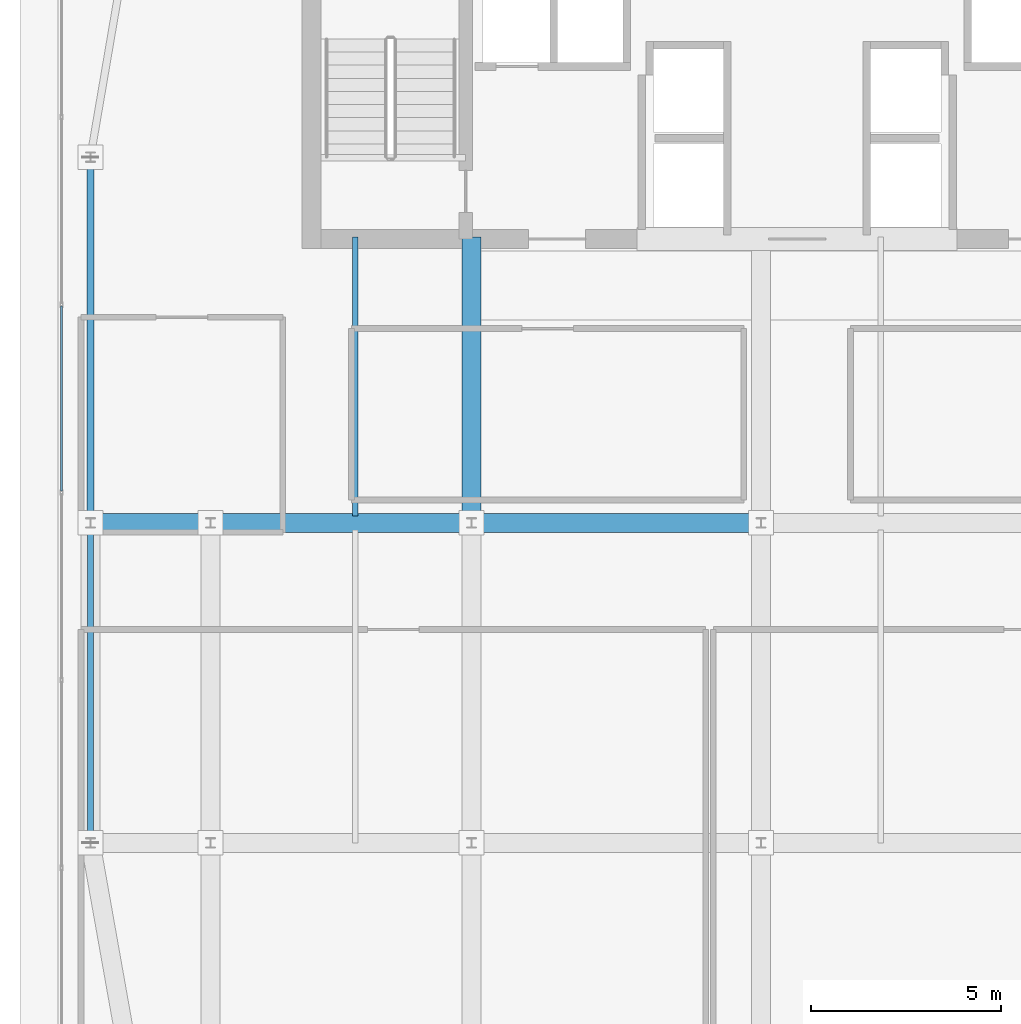
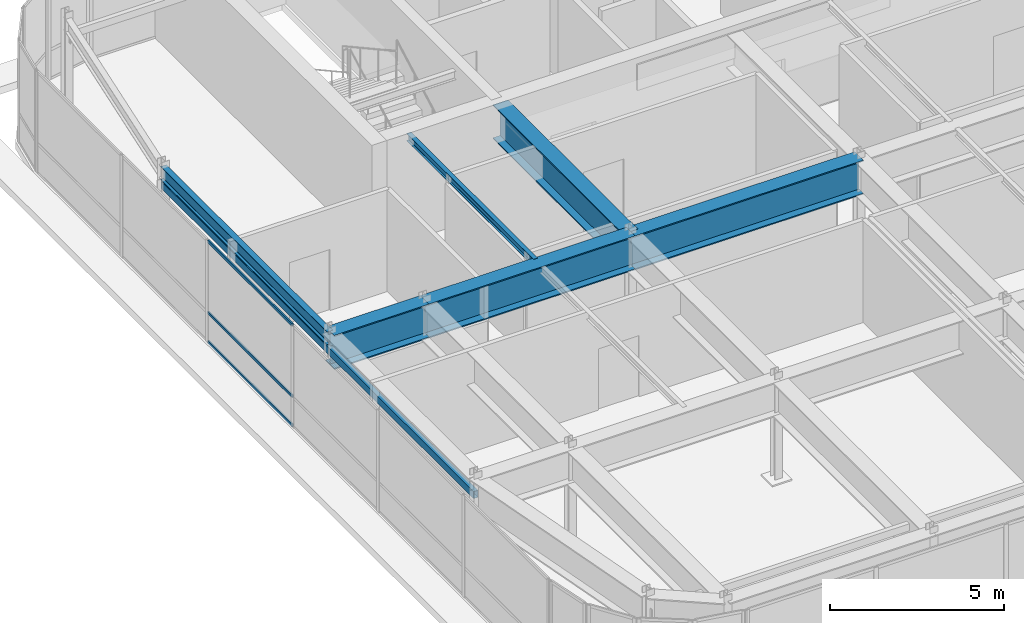
# One storey, part 16 of 35: 6 beams, 4 members, 1 element without a shape of its own.
"""IFC4 building model written with IfcOpenShell, lengths in metres."""

from ifc_helpers import new_model, si_unit, direction, frame, origin, origin_2d, place, context, subcontext, project, spatial, hollow_rectangle, i_section, extrude, source, transform, mapped, material, layer, layer_set, material_profile, profile_set, type_object, type_shapes, element, aggregate, save


model = new_model("IFC4")

# Units and contexts
model_context = context("Model", 3, precision=1e-05, world=origin(), true_north=direction((0.0, 1.0)))
body_context = subcontext(model_context, "Body", "Model", "MODEL_VIEW")
ifc_project = project(units=[si_unit("LENGTHUNIT", "METRE"), si_unit("AREAUNIT", "SQUARE_METRE"), si_unit("VOLUMEUNIT", "CUBIC_METRE"), si_unit("PLANEANGLEUNIT", "RADIAN"), si_unit("MASSUNIT", "GRAM", prefix="KILO")], contexts=[model_context])

# Site, building, storey
site_placement = place(None, origin())
site = spatial("IfcSite", under=ifc_project, at=site_placement, CompositionType="ELEMENT")
building_placement = place(site_placement, origin())
building = spatial("IfcBuilding", under=site, at=building_placement, Name="Tolvann Quenvar Hotel", CompositionType="ELEMENT")
storey_placement = place(building_placement, frame((0.0, 0.0, 290.949951171875)))
storey = spatial("IfcBuildingStorey", under=building, at=storey_placement, Name="L77", CompositionType="ELEMENT", Elevation=290.949951171875)

# Beams
ifc_material_1 = material(Name="Steel Grade 350", Category="steel")
ifc_material_profile_1 = material_profile(ifc_material_1, i_section(OverallWidth=0.5, OverallDepth=1.199951171875, WebThickness=0.01611328125, FlangeThickness=0.0400390625, at=origin_2d()), Name="1200WB455")
ifc_profile_set_1 = profile_set([ifc_material_profile_1], Name="Steel Grade 350")
beam_type_1 = type_object("IfcBeamType", Name="BM_TG_1200WB455", PredefinedType="USERDEFINED", material=ifc_profile_set_1)
shared_shape_1 = source(origin(), body_context, "Body", "SweptSolid", [
    extrude(i_section(OverallWidth=0.5, OverallDepth=1.199951171875, WebThickness=0.01611328125, FlangeThickness=0.0400390625, at=origin_2d()), origin(), (0.0, 0.0, 1.0), 7.5),
])
beam_1_placement = place(storey_placement, frame((14.449951171875, 24.39990234375, 2.97998046875), z_axis=(0.0, 1.0, 0.0), x_axis=(-1.0, 0.0, 0.0)))
element("IfcBeam", 1, at=beam_1_placement, inside=storey, type_object=beam_type_1, Name="BM-L77-CORE-D5", ObjectType="TRANSFER GIRDER", PredefinedType="USERDEFINED", context=body_context, shape_type="MappedRepresentation", body=[
    mapped(shared_shape_1, transform((0.0, 0.0, 0.0), x_axis=(1.0, 0.0, 0.0), y_axis=(0.0, 1.0, 0.0), z_axis=(0.0, 0.0, 1.0), scale=1.0)),
])
ifc_material_profile_2 = material_profile(ifc_material_1, i_section(OverallWidth=0.19091796875, OverallDepth=0.4599609375, WebThickness=0.010009765625, FlangeThickness=0.01611328125, FilletRadius=0.011474609375, at=origin_2d()), Name="460UB82")
ifc_profile_set_2 = profile_set([ifc_material_profile_2], Name="Steel Grade 350")
beam_type_2 = type_object("IfcBeamType", Name="BM_SPAND_460UB82", PredefinedType="SPANDREL", material=ifc_profile_set_2)
shared_shape_2 = source(origin(), body_context, "Body", "SweptSolid", [
    extrude(i_section(OverallWidth=0.19091796875, OverallDepth=0.4599609375, WebThickness=0.010009765625, FlangeThickness=0.01611328125, FilletRadius=0.011474609375, at=origin_2d()), origin(), (0.0, 0.0, 1.0), 9.60009765625),
])
type_shapes(beam_type_2, [shared_shape_2])
beam_2_placement = place(storey_placement, frame((4.449951171875, 24.39990234375, 3.35009765625), z_axis=(0.0, 1.0, 0.0), x_axis=(-1.0, 0.0, 0.0)))
element("IfcBeam", 2, at=beam_2_placement, inside=storey, type_object=beam_type_2, Name="BM-L77-FLK-W1", PredefinedType="SPANDREL", context=body_context, shape_type="MappedRepresentation", body=[
    mapped(shared_shape_2, transform((0.0, 0.0, 0.0), x_axis=(1.0, 0.0, 0.0), y_axis=(0.0, 1.0, 0.0), z_axis=(0.0, 0.0, 1.0), scale=1.0)),
])
shared_shape_3 = source(origin(), body_context, "Body", "SweptSolid", [
    extrude(i_section(OverallWidth=0.5, OverallDepth=1.199951171875, WebThickness=0.01611328125, FlangeThickness=0.0400390625, at=origin_2d()), origin(), (0.0, 0.0, 1.0), 6.849853515625),
])
beam_3_placement = place(storey_placement, frame((7.60009765625, 24.39990234375, 2.97998046875), z_axis=(1.0, 0.0, 0.0), x_axis=(0.0, 1.0, 0.0)))
element("IfcBeam", 3, at=beam_3_placement, inside=storey, type_object=beam_type_1, Name="BM-L77-EW-5-C5-D5", ObjectType="TRANSFER GIRDER", PredefinedType="USERDEFINED", context=body_context, shape_type="MappedRepresentation", body=[
    mapped(shared_shape_3, transform((0.0, 0.0, 0.0), x_axis=(1.0, 0.0, 0.0), y_axis=(0.0, 1.0, 0.0), z_axis=(0.0, 0.0, 1.0), scale=1.0)),
])
shared_shape_4 = source(origin(), body_context, "Body", "SweptSolid", [
    extrude(i_section(OverallWidth=0.5, OverallDepth=1.199951171875, WebThickness=0.01611328125, FlangeThickness=0.0400390625, at=origin_2d()), origin(), (0.0, 0.0, 1.0), 7.60009765625),
])
beam_4_placement = place(storey_placement, frame((14.449951171875, 24.39990234375, 2.97998046875), z_axis=(1.0, 0.0, 0.0), x_axis=(0.0, 1.0, 0.0)))
element("IfcBeam", 4, at=beam_4_placement, inside=storey, type_object=beam_type_1, Name="BM-L77-EW-5-D5-E5", ObjectType="TRANSFER GIRDER", PredefinedType="USERDEFINED", context=body_context, shape_type="MappedRepresentation", body=[
    mapped(shared_shape_4, transform((0.0, 0.0, 0.0), x_axis=(1.0, 0.0, 0.0), y_axis=(0.0, 1.0, 0.0), z_axis=(0.0, 0.0, 1.0), scale=1.0)),
])
shared_shape_5 = source(origin(), body_context, "Body", "SweptSolid", [
    extrude(i_section(OverallWidth=0.5, OverallDepth=1.199951171875, WebThickness=0.01611328125, FlangeThickness=0.0400390625, at=origin_2d()), origin(), (0.0, 0.0, 1.0), 3.150146484375),
])
type_shapes(beam_type_1, [shared_shape_1, shared_shape_3, shared_shape_4, shared_shape_5])
beam_5_placement = place(storey_placement, frame((4.449951171875, 24.39990234375, 2.97998046875), z_axis=(1.0, 0.0, 0.0), x_axis=(0.0, 1.0, 0.0)))
element("IfcBeam", 5, at=beam_5_placement, inside=storey, type_object=beam_type_1, Name="BM-L77-EW-5-B5-C5", ObjectType="TRANSFER GIRDER", PredefinedType="USERDEFINED", context=body_context, shape_type="MappedRepresentation", body=[
    mapped(shared_shape_5, transform((0.0, 0.0, 0.0), x_axis=(1.0, 0.0, 0.0), y_axis=(0.0, 1.0, 0.0), z_axis=(0.0, 0.0, 1.0), scale=1.0)),
])
ifc_material_profile_3 = material_profile(ifc_material_1, i_section(OverallWidth=0.14599609375, OverallDepth=0.256103515625, WebThickness=0.00634765625, FlangeThickness=0.010986328125, FilletRadius=0.0087890625, at=origin_2d()), Name="250UB37")
ifc_profile_set_3 = profile_set([ifc_material_profile_3], Name="Steel Grade 350")
beam_type_3 = type_object("IfcBeamType", Name="BM_JOIST_250UB37", PredefinedType="JOIST", material=ifc_profile_set_3)
shared_shape_6 = source(origin(), body_context, "Body", "SweptSolid", [
    extrude(i_section(OverallWidth=0.14599609375, OverallDepth=0.256103515625, WebThickness=0.00634765625, FlangeThickness=0.010986328125, FilletRadius=0.0087890625, at=origin_2d()), origin(), (0.0, 0.0, 1.0), 7.31494140625),
])
type_shapes(beam_type_3, [shared_shape_6])
beam_6_placement = place(storey_placement, frame((11.39990234375, 24.5849609375, 3.4521484375), z_axis=(0.0, 1.0, 0.0), x_axis=(-1.0, 0.0, 0.0)))
element("IfcBeam", 6, at=beam_6_placement, inside=storey, type_object=beam_type_3, Name="BJ-L77-114-244", PredefinedType="JOIST", context=body_context, shape_type="MappedRepresentation", body=[
    mapped(shared_shape_6, transform((0.0, 0.0, 0.0), x_axis=(1.0, 0.0, 0.0), y_axis=(0.0, 1.0, 0.0), z_axis=(0.0, 0.0, 1.0), scale=1.0)),
])

# Member
ifc_material_2 = material(Name="Steel Grade 450 (C450L0)", Category="steel")
ifc_material_profile_4 = material_profile(ifc_material_2, hollow_rectangle(XDim=0.14990234375, YDim=0.25, WallThickness=0.009033203125, at=origin_2d()), Name="250x150x9RHS")
ifc_profile_set_4 = profile_set([ifc_material_profile_4], Name="Steel Grade 450 (C450L0)")
member_type_1 = type_object("IfcMemberType", Name="MEM_CROWN_250RHS", PredefinedType="USERDEFINED", material=ifc_profile_set_4)
shared_shape_7 = source(origin(), body_context, "Body", "SweptSolid", [
    extrude(hollow_rectangle(XDim=0.14990234375, YDim=0.25, WallThickness=0.009033203125, at=origin_2d()), origin(), (0.0, 0.0, 1.0), 18.0),
])
type_shapes(member_type_1, [shared_shape_7])
member_1_placement = place(storey_placement, frame((4.449951171875, 16.0, 2.929931640625), z_axis=(0.0, 1.0, 0.0), x_axis=(-1.0, 0.0, 0.0)))
element("IfcMember", 7, at=member_1_placement, inside=storey, type_object=member_type_1, Name="Crown Frame Ring Member (L77-2)", ObjectType="CROWN FRAME", PredefinedType="USERDEFINED", context=body_context, shape_type="MappedRepresentation", body=[
    mapped(shared_shape_7, transform((0.0, 0.0, 0.0), x_axis=(1.0, 0.0, 0.0), y_axis=(0.0, 1.0, 0.0), z_axis=(0.0, 0.0, 1.0), scale=1.0)),
])

# Curtain wall, members
ifc_material_3 = material(Name="Thermally broken anodised architectural aluminium 6063-T6 and laminated low-E glass", Category="aluminium")
ifc_layer = layer(ifc_material_3, 0.179931640625)
ifc_layer_set = layer_set([ifc_layer], Name="Thermally broken anodised architectural aluminium 6063-T6 and laminated low-E glass")
curtain_wall_type = type_object("IfcCurtainWallType", Name="CW_SYS_LANT_06", PredefinedType="USERDEFINED", material=ifc_layer_set)
curtain_wall_placement = place(storey_placement, origin())
curtain_wall = element("IfcCurtainWall", 8, at=curtain_wall_placement, inside=storey, type_object=curtain_wall_type, Name="Curtain Wall CW-LANT-06 (CWR-L77-E19)", ObjectType="UNITISED CURTAIN WALL", PredefinedType="USERDEFINED")
ifc_material_4 = material(Name="Anodised architectural aluminium 6063-T6 framing", Category="aluminium")
ifc_material_profile_5 = material_profile(ifc_material_4, hollow_rectangle(XDim=0.050048828125, YDim=0.10009765625, WallThickness=0.0029296875, at=origin_2d()), Name="100x50x3RHS")
ifc_profile_set_5 = profile_set([ifc_material_profile_5], Name="Anodised architectural aluminium 6063-T6 framing")
member_type_2 = type_object("IfcMemberType", Name="CW_TRAN_100x50", PredefinedType="USERDEFINED", material=ifc_profile_set_5)
shared_shape_8 = source(origin(), body_context, "Body", "SweptSolid", [
    extrude(hollow_rectangle(XDim=0.050048828125, YDim=0.10009765625, WallThickness=0.0029296875, at=origin_2d()), origin(), (0.0, 0.0, 1.0), 4.86279296875),
])
type_shapes(member_type_2, [shared_shape_8])
member_2_placement = place(storey_placement, frame((3.68994140625, 30.09521484375, 0.025146484375), z_axis=(0.0, -1.0, 0.0), x_axis=(1.0, 0.0, 0.0)))
member_2 = element("IfcMember", 9, at=member_2_placement, type_object=member_type_2, Name="CW-LANT-06 transom 3.1", ObjectType="TRANSOM", PredefinedType="USERDEFINED", context=body_context, shape_type="MappedRepresentation", body=[
    mapped(shared_shape_8, transform((0.0, 0.0, 0.0), x_axis=(1.0, 0.0, 0.0), y_axis=(0.0, 1.0, 0.0), z_axis=(0.0, 0.0, 1.0), scale=1.0)),
])
member_3_placement = place(storey_placement, frame((3.68994140625, 30.09521484375, 1.050048828125), z_axis=(0.0, -1.0, 0.0), x_axis=(1.0, 0.0, 0.0)))
member_3 = element("IfcMember", 10, at=member_3_placement, type_object=member_type_2, Name="CW-LANT-06 transom 3.2", ObjectType="TRANSOM", PredefinedType="USERDEFINED", context=body_context, shape_type="MappedRepresentation", body=[
    mapped(shared_shape_8, transform((0.0, 0.0, 0.0), x_axis=(1.0, 0.0, 0.0), y_axis=(0.0, 1.0, 0.0), z_axis=(0.0, 0.0, 1.0), scale=1.0)),
])
member_4_placement = place(storey_placement, frame((3.68994140625, 30.09521484375, 3.554931640625), z_axis=(0.0, -1.0, 0.0), x_axis=(1.0, 0.0, 0.0)))
member_4 = element("IfcMember", 11, at=member_4_placement, type_object=member_type_2, Name="CW-LANT-06 transom 3.3", ObjectType="TRANSOM", PredefinedType="USERDEFINED", context=body_context, shape_type="MappedRepresentation", body=[
    mapped(shared_shape_8, transform((0.0, 0.0, 0.0), x_axis=(1.0, 0.0, 0.0), y_axis=(0.0, 1.0, 0.0), z_axis=(0.0, 0.0, 1.0), scale=1.0)),
])
aggregate(curtain_wall, [member_2, member_3, member_4])

save(model, "model.ifc")
